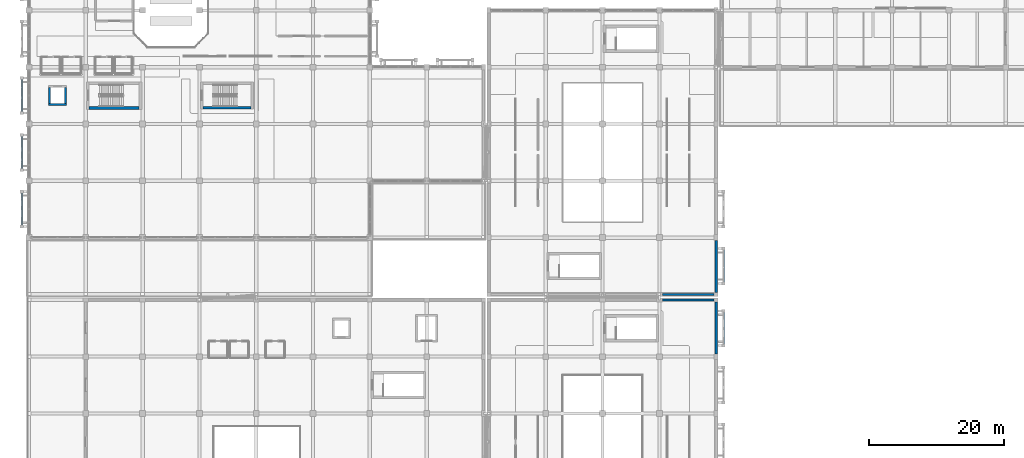
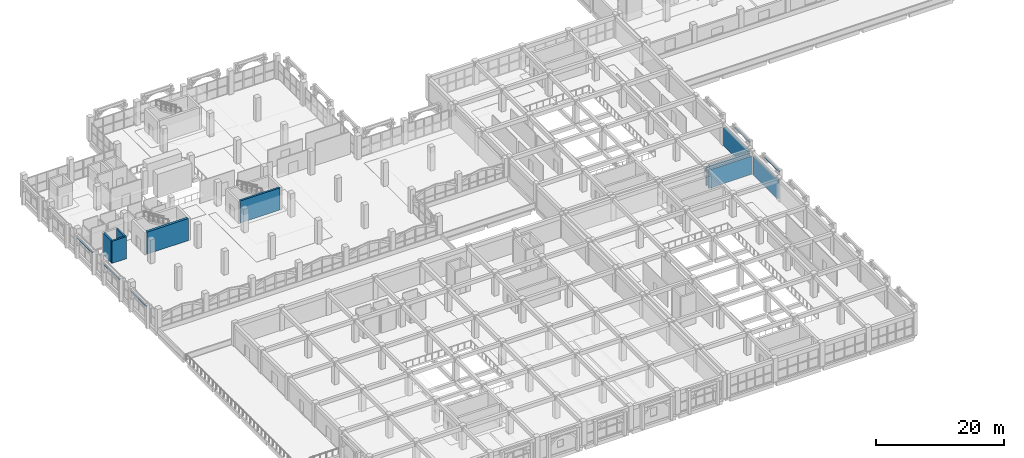
# One storey, part 111 of 129: 14 walls.
"""IFC4 building model written with IfcOpenShell, lengths in metres."""

import ifcopenshell
import ifcopenshell.guid

model = None  # the IFC model being written
_history = None  # IfcOwnerHistory: only IFC2X3 demands one
_inside = {}  # id of a spatial element -> (the spatial element, [elements in it])
_under = {}  # id of a project, library or spatial element -> (it, [spatial elements below it])
_declared = {}  # id of a project -> (the project, [libraries it declares])
_typed = {}  # id of a type object -> (the type object, [elements of that type])
_made_of = {}  # id of a material, layer set ... -> (it, [elements and type objects made of it])


def new_model(schema):
    """Start an empty IFC model of exactly this schema.

    Asked for "IFC4X3", IfcOpenShell would pick the latest addendum, in which some entities
    have other attributes; the version numbers below select the first issue.
    IFC2X3 requires an IfcOwnerHistory on every rooted entity: one is made here for all.
    """
    global model, _history
    if schema == "IFC4X3":
        model = ifcopenshell.file(schema_version=(4, 3, 0, 0))
    else:
        model = ifcopenshell.file(schema=schema)
    _inside.clear()
    _under.clear()
    _declared.clear()
    _typed.clear()
    _made_of.clear()
    _history = None
    if model.schema == "IFC2X3":
        org = make("IfcOrganization", Name="unknown")
        user = make(
            "IfcPersonAndOrganization",
            ThePerson=make("IfcPerson", FamilyName="unknown"),
            TheOrganization=org,
        )
        app = make(
            "IfcApplication",
            ApplicationDeveloper=org,
            Version="unknown",
            ApplicationFullName="unknown",
            ApplicationIdentifier="unknown",
        )
        _history = make(
            "IfcOwnerHistory",
            OwningUser=user,
            OwningApplication=app,
            ChangeAction="ADDED",
            CreationDate=0,
        )
    return model


def make(cls, **values):
    """One entity of the class cls with the attributes given. An attribute that is None is left unset."""
    return model.create_entity(
        cls, **{name: value for name, value in values.items() if value is not None}
    )


def rooted(cls, **values):
    """An entity with a GlobalId (a new one), such as an element, a storey or a relation."""
    return make(cls, GlobalId=ifcopenshell.guid.new(), OwnerHistory=_history, **values)


def si_unit(unit_type, name, prefix=None):
    """IfcSIUnit, for example si_unit("LENGTHUNIT", "METRE", prefix="MILLI")."""
    return make("IfcSIUnit", UnitType=unit_type, Prefix=prefix, Name=name)


def assignment(units):
    """IfcUnitAssignment: the units of a project."""
    return None if units is None else make("IfcUnitAssignment", Units=units)


def point(xyz):
    """IfcCartesianPoint."""
    return None if xyz is None else make("IfcCartesianPoint", Coordinates=xyz)


def direction(xyz):
    """IfcDirection."""
    return None if xyz is None else make("IfcDirection", DirectionRatios=xyz)


def frame(location, z_axis=None, x_axis=None):
    """IfcAxis2Placement3D, a coordinate frame: its origin and axes. An axis left out is left unset."""
    return make(
        "IfcAxis2Placement3D",
        Location=point(location),
        Axis=direction(z_axis),
        RefDirection=direction(x_axis),
    )


def frame_2d(location, x_axis=None):
    """IfcAxis2Placement2D, a coordinate frame in the plane: its origin and x axis."""
    return make(
        "IfcAxis2Placement2D", Location=point(location), RefDirection=direction(x_axis)
    )


def origin():
    """The frame at (0, 0, 0) with its axes left unset."""
    return frame((0.0, 0.0, 0.0))


def place(relative_to, where):
    """IfcLocalPlacement: puts the frame where relative to a parent placement (None: the world)."""
    return make(
        "IfcLocalPlacement", PlacementRelTo=relative_to, RelativePlacement=where
    )


def context(
    kind, dimensions, precision=None, world=None, true_north=None, identifier=None
):
    """IfcGeometricRepresentationContext, for example the 3D "Model" context."""
    return make(
        "IfcGeometricRepresentationContext",
        ContextIdentifier=identifier,
        ContextType=kind,
        CoordinateSpaceDimension=dimensions,
        Precision=precision,
        WorldCoordinateSystem=world,
        TrueNorth=true_north,
    )


def subcontext(parent, identifier, kind, view, scale=None):
    """IfcGeometricRepresentationSubContext, for example "Body" below "Model"."""
    return make(
        "IfcGeometricRepresentationSubContext",
        ContextIdentifier=identifier,
        ContextType=kind,
        ParentContext=parent,
        TargetScale=scale,
        TargetView=view,
    )


def project(units=None, contexts=None):
    """IfcProject with its units and contexts."""
    return rooted(
        "IfcProject",
        Name="project",
        RepresentationContexts=contexts,
        UnitsInContext=assignment(units),
    )


def spatial(cls, under=None, at=None, **own):
    """A site, building, storey or space (cls), placed at a placement, below another one or the project."""
    s = rooted(cls, ObjectPlacement=at, **own)
    if under is not None:
        _under.setdefault(under.id(), (under, []))[1].append(s)
    return s


def profile(cls, at=None, kind="AREA", **sizes):
    """A parametric profile (cls). Its sizes go by their IFC names, for example OverallWidth=200.0."""
    return make(cls, ProfileType=kind, Position=at, **sizes)


def rectangle(**sizes):
    """IfcRectangleProfileDef."""
    return profile("IfcRectangleProfileDef", **sizes)


def extrude(swept, where, along, depth):
    """IfcExtrudedAreaSolid: the profile swept, set in the frame where, extruded along a direction by depth."""
    return make(
        "IfcExtrudedAreaSolid",
        SweptArea=swept,
        Position=where,
        ExtrudedDirection=direction(along),
        Depth=depth,
    )


def shape(context_of_items, identifier, shape_type, items):
    """IfcShapeRepresentation: the items that make up one representation, for example the "Body"."""
    return make(
        "IfcShapeRepresentation",
        ContextOfItems=context_of_items,
        RepresentationIdentifier=identifier,
        RepresentationType=shape_type,
        Items=items,
    )


def material(Name=None, Category=None):
    """IfcMaterial."""
    return make("IfcMaterial", Name=Name, Category=Category)


def layer(
    of_material, thickness, ventilated=None, Name=None, Category=None, Priority=None
):
    """IfcMaterialLayer: one layer of a wall or slab, of a material (None: an air gap)."""
    return make(
        "IfcMaterialLayer",
        Material=of_material,
        LayerThickness=thickness,
        IsVentilated=ventilated,
        Name=Name,
        Category=Category,
        Priority=Priority,
    )


def layer_set(layers, Name=None):
    """IfcMaterialLayerSet."""
    return make("IfcMaterialLayerSet", MaterialLayers=layers, LayerSetName=Name)


def made_of(thing, what):
    """Note that an element or type object is made of a material, layer set ...; save() writes the relation."""
    if what is not None:
        _made_of.setdefault(what.id(), (what, []))[1].append(thing)
    return thing


def type_object(cls, material=None, **own):
    """A type object (cls), such as IfcWallType, which elements share."""
    return made_of(rooted(cls, **own), material)


def element(
    cls,
    number,
    at=None,
    inside=None,
    cuts=None,
    type_object=None,
    material=None,
    context=None,
    identifier="Body",
    shape_type=None,
    held_by="IfcProductDefinitionShape",
    body=None,
    shapes=None,
    **own,
):
    """One element of the class cls, such as IfcWall. Its Tag is "e" and its number.

    at: its placement. inside: the storey or other place that contains it. cuts: it is an
    opening in that element (IfcRelVoidsElement). A single representation is given by context,
    identifier, shape_type and body (its items); several are given by shapes. held_by: the class
    of the entity that holds the representations. save() writes the other relations.
    """
    e = rooted(cls, Tag="e%d" % number, ObjectPlacement=at, **own)
    if body is not None:
        shapes = [shape(context, identifier, shape_type, body)]
    if shapes is not None:
        e.Representation = make(held_by, Representations=shapes)
    if inside is not None:
        _inside.setdefault(inside.id(), (inside, []))[1].append(e)
    if cuts is not None:
        rooted(
            "IfcRelVoidsElement", RelatingBuildingElement=cuts, RelatedOpeningElement=e
        )
    if type_object is not None:
        _typed.setdefault(type_object.id(), (type_object, []))[1].append(e)
    return made_of(e, material)


def aggregate(whole, parts):
    """IfcRelAggregates: a whole, such as a stair, and the parts it consists of."""
    return rooted("IfcRelAggregates", RelatingObject=whole, RelatedObjects=parts)


def save(model, path):
    """Write the relations noted so far, then the file.

    IfcRelAggregates (storeys below a building ...), IfcRelContainedInSpatialStructure (elements
    in a storey), IfcRelDefinesByType, IfcRelAssociatesMaterial and IfcRelDeclares: one each for
    every whole, place, type object, material and project.
    """
    for whole, parts in _under.values():
        aggregate(whole, parts)
    for where, things in _inside.values():
        rooted(
            "IfcRelContainedInSpatialStructure",
            RelatedElements=things,
            RelatingStructure=where,
        )
    for kind, things in _typed.values():
        rooted("IfcRelDefinesByType", RelatedObjects=things, RelatingType=kind)
    for what, things in _made_of.values():
        rooted("IfcRelAssociatesMaterial", RelatedObjects=things, RelatingMaterial=what)
    for by, libraries in _declared.values():
        rooted("IfcRelDeclares", RelatingContext=by, RelatedDefinitions=libraries)
    model.write(path)


model = new_model("IFC4")

# Units and contexts
model_context = context("Model", 3, precision=1e-05, world=origin(), true_north=direction((0.0, 1.0)))
body_context = subcontext(model_context, "Body", "Model", "MODEL_VIEW")
ifc_project = project(units=[si_unit("LENGTHUNIT", "METRE"), si_unit("AREAUNIT", "SQUARE_METRE"), si_unit("VOLUMEUNIT", "CUBIC_METRE"), si_unit("PLANEANGLEUNIT", "RADIAN"), si_unit("MASSUNIT", "GRAM", prefix="KILO")], contexts=[model_context])

# Site, building, storey
site_placement = place(None, origin())
site = spatial("IfcSite", under=ifc_project, at=site_placement, CompositionType="ELEMENT")
building_placement = place(site_placement, origin())
building = spatial("IfcBuilding", under=site, at=building_placement, Name="Xazarin Passage Department Store", CompositionType="ELEMENT")
storey_placement = place(building_placement, frame((0.0, 0.0, 9.89990234375)))
storey = spatial("IfcBuildingStorey", under=building, at=storey_placement, Name="L02", CompositionType="ELEMENT", Elevation=9.89990234375)

# Walls
ifc_material_1 = material(Name="Buff Baku clay brick", Category="masonry")
ifc_layer_1 = layer(ifc_material_1, 0.320068359375)
ifc_layer_set_1 = layer_set([ifc_layer_1], Name="Buff Baku clay brick")
wall_type_1 = type_object("IfcWallType", Name="ARC-W-EXT320", PredefinedType="SOLIDWALL", material=ifc_layer_set_1)
for number, where, z_axis, x_axis, name in (
    (1, (93.625, 50.39990234375, 0.0), (0.0, 0.0, 1.0), (1.0, 0.0, 0.0), "L02 V2S Exterior Wall 125"),
    (2, (101.60009765625, 42.425048828125, 0.0), (0.0, 0.0, 1.0), (0.0, 1.0, 0.0), "L02 V2S Exterior Wall 137"),
    (3, (93.625, 51.199951171875, 0.0), (0.0, 0.0, 1.0), (1.0, 0.0, 0.0), "L02 V2N Exterior Wall 171"),
    (4, (101.60009765625, 51.5, 0.0), (0.0, 0.0, 1.0), (0.0, 1.0, 0.0), "L02 V2N Exterior Wall 177"),
):
    element("IfcWall", number, at=place(storey_placement, frame(where, z_axis=z_axis, x_axis=x_axis)), inside=storey, type_object=wall_type_1, Name=name, PredefinedType="SOLIDWALL", context=body_context, shape_type="SweptSolid", body=[
        extrude(rectangle(XDim=7.675048828125, YDim=0.320068359375, at=frame_2d((3.83740234375, 0.0))), origin(), (0.0, 0.0, 1.0), 3.489990234375),
    ])
ifc_material_2 = material(Name="Precast concrete C40/50", Category="concrete")
ifc_layer_2 = layer(ifc_material_2, 0.2099609375)
ifc_layer_set_2 = layer_set([ifc_layer_2], Name="Precast concrete C40/50")
wall_type_2 = type_object("IfcWallType", Name="ARC-W-PAR210", PredefinedType="PARAPET", material=ifc_layer_set_2)
for number, where, z_axis, x_axis, name in (
    (5, (-1.050048828125, 61.469970703125, 3.880126953125), (0.0, 0.0, 1.0), (0.0, 1.0, 0.0), "L02 V1 Pierced-Arch Spandrel Lintel 0041"),
    (6, (-1.050048828125, 69.8701171875, 3.880126953125), (0.0, 0.0, 1.0), (0.0, 1.0, 0.0), "L02 V1 Pierced-Arch Spandrel Lintel 0044"),
    (7, (-1.050048828125, 78.27001953125, 3.880126953125), (0.0, 0.0, 1.0), (0.0, 1.0, 0.0), "L02 V1 Pierced-Arch Spandrel Lintel 0049"),
    (8, (102.64990234375, 43.8701171875, 3.880126953125), (0.0, 0.0, 1.0), (0.0, 1.0, 0.0), "L02 V2S Pierced-Arch Spandrel Lintel 0101"),
    (9, (102.64990234375, 53.070068359375, 3.880126953125), (0.0, 0.0, 1.0), (0.0, 1.0, 0.0), "L02 V2N Pierced-Arch Spandrel Lintel 0104"),
):
    element("IfcWall", number, at=place(storey_placement, frame(where, z_axis=z_axis, x_axis=x_axis)), inside=storey, type_object=wall_type_2, Name=name, PredefinedType="PARAPET", context=body_context, shape_type="SweptSolid", body=[
        extrude(rectangle(XDim=4.659912109375, YDim=0.2099609375, at=frame_2d((2.330078125, 0.0))), origin(), (0.0, 0.0, 1.0), 0.119873046875),
    ])
ifc_material_3 = material(Name="Concrete C40/50", Category="concrete")
ifc_layer_3 = layer(ifc_material_3, 0.31005859375)
ifc_layer_set_3 = layer_set([ifc_layer_3], Name="Concrete C40/50")
wall_type_3 = type_object("IfcWallType", Name="STR-W-LFT310", PredefinedType="SHEAR", material=ifc_layer_set_3)
wall_1_placement = place(storey_placement, frame((2.8701171875, 79.27490234375, 0.0), z_axis=(0.0, 0.0, 1.0), x_axis=(1.0, 0.0, 0.0)))
element("IfcWall", 10, at=wall_1_placement, inside=storey, type_object=wall_type_3, Name="L02 Lift PL1 Shaft Wall South", PredefinedType="SHEAR", context=body_context, shape_type="SweptSolid", body=[
    extrude(rectangle(XDim=2.659912109375, YDim=0.31005859375, at=frame_2d((1.330078125, 0.0))), origin(), (0.0, 0.0, 1.0), 4.2001953125),
])
for number, where, z_axis, x_axis, name in (
    (11, (3.02490234375, 79.429931640625, 0.0), (0.0, 0.0, 1.0), (0.0, 1.0, 0.0), "L02 Lift PL1 Shaft Wall West"),
    (12, (5.375, 79.429931640625, 0.0), (0.0, 0.0, 1.0), (0.0, 1.0, 0.0), "L02 Lift PL1 Shaft Wall East"),
):
    element("IfcWall", number, at=place(storey_placement, frame(where, z_axis=z_axis, x_axis=x_axis)), inside=storey, type_object=wall_type_3, Name=name, PredefinedType="SHEAR", context=body_context, shape_type="SweptSolid", body=[
        extrude(rectangle(XDim=2.340087890625, YDim=0.31005859375, at=frame_2d((1.169921875, 0.0))), origin(), (0.0, 0.0, 1.0), 4.2001953125),
    ])
ifc_layer_4 = layer(ifc_material_3, 0.35009765625)
ifc_layer_set_4 = layer_set([ifc_layer_4], Name="Concrete C40/50")
wall_type_4 = type_object("IfcWallType", Name="STR-W-SHR350", PredefinedType="SHEAR", material=ifc_layer_set_4)
wall_2_placement = place(storey_placement, frame((25.699951171875, 78.804931640625, 0.0), z_axis=(0.0, 0.0, 1.0), x_axis=(1.0, 0.0, 0.0)))
element("IfcWall", 13, at=wall_2_placement, inside=storey, type_object=wall_type_4, Name="L02 Core K3 South Shear Wall", PredefinedType="SHEAR", context=body_context, shape_type="SweptSolid", body=[
    extrude(rectangle(XDim=7.150146484375, YDim=0.35009765625, at=frame_2d((3.5751953125, 0.0))), origin(), (0.0, 0.0, 1.0), 4.2001953125),
])
ifc_layer_5 = layer(ifc_material_3, 0.419921875)
ifc_layer_set_5 = layer_set([ifc_layer_5], Name="Concrete C40/50")
wall_type_5 = type_object("IfcWallType", Name="STR-W-SHR420", PredefinedType="SHEAR", material=ifc_layer_set_5)
wall_3_placement = place(storey_placement, frame((8.89990234375, 78.77001953125, 0.0), z_axis=(0.0, 0.0, 1.0), x_axis=(1.0, 0.0, 0.0)))
element("IfcWall", 14, at=wall_3_placement, inside=storey, type_object=wall_type_5, Name="L02 Core K1 South Shear Wall", PredefinedType="SHEAR", context=body_context, shape_type="SweptSolid", body=[
    extrude(rectangle(XDim=7.400146484375, YDim=0.419921875, at=frame_2d((3.7001953125, 0.0))), origin(), (0.0, 0.0, 1.0), 4.2001953125),
])

save(model, "model.ifc")
